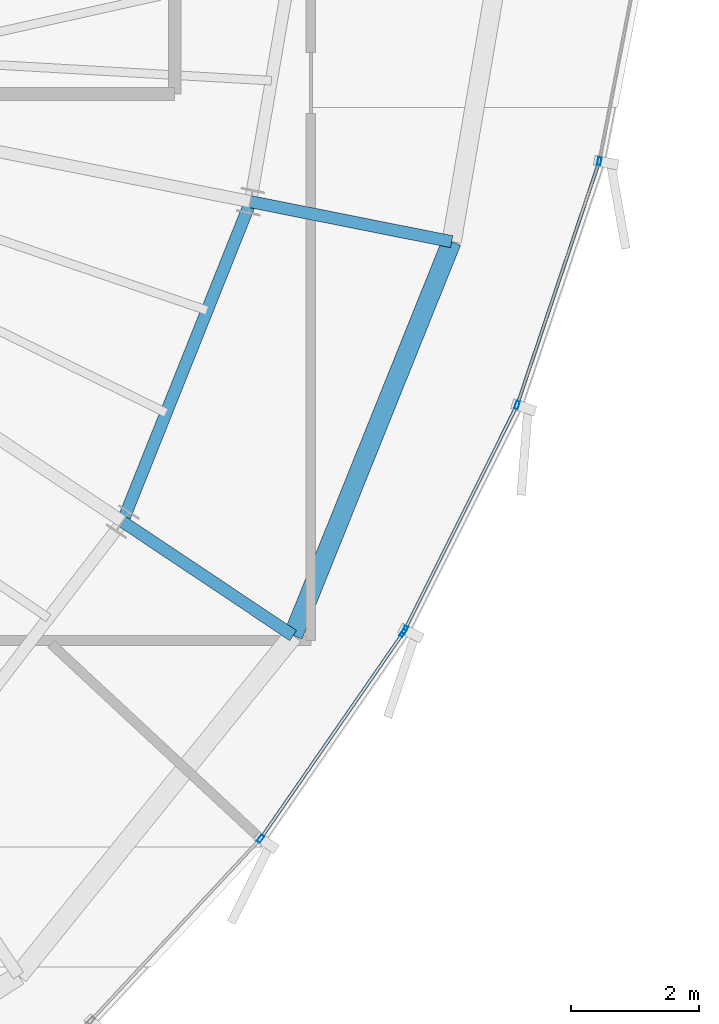
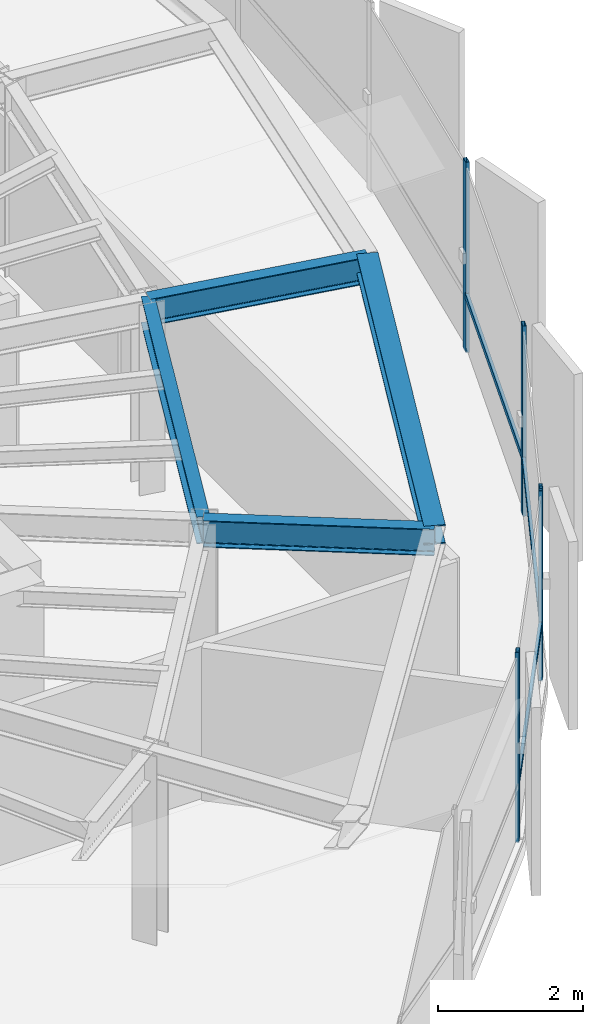
# One storey, part 14 of 32: 8 members, 4 beams, 2 elements without a shape of their own.
"""IFC4 building model written with IfcOpenShell, lengths in metres."""

from ifc_helpers import new_model, si_unit, direction, frame, origin, origin_2d, place, context, subcontext, project, spatial, hollow_rectangle, i_section, extrude, source, transform, mapped, material, layer, layer_set, material_profile, profile_set, type_object, element, aggregate, save


model = new_model("IFC4")

# Units and contexts
model_context = context("Model", 3, precision=1e-05, world=origin(), true_north=direction((0.0, 1.0)))
body_context = subcontext(model_context, "Body", "Model", "MODEL_VIEW")
ifc_project = project(units=[si_unit("LENGTHUNIT", "METRE"), si_unit("AREAUNIT", "SQUARE_METRE"), si_unit("VOLUMEUNIT", "CUBIC_METRE"), si_unit("PLANEANGLEUNIT", "RADIAN"), si_unit("MASSUNIT", "GRAM", prefix="KILO"), si_unit("THERMODYNAMICTEMPERATUREUNIT", "KELVIN")], contexts=[model_context])

# Site, building, storey
site_placement = place(None, origin())
site = spatial("IfcSite", under=ifc_project, at=site_placement, CompositionType="ELEMENT")
building_placement = place(site_placement, origin())
building = spatial("IfcBuilding", under=site, at=building_placement, Name="Kethvar Cultural Tower", CompositionType="ELEMENT")
storey_placement = place(building_placement, frame((0.0, 0.0, 273.25)))
storey = spatial("IfcBuildingStorey", under=building, at=storey_placement, Name="L72", CompositionType="ELEMENT", Elevation=273.25)

# Beams
ifc_material_1 = material(Name="Steel S355J2", Category="steel")
ifc_material_profile_1 = material_profile(ifc_material_1, i_section(OverallWidth=0.18994140625, OverallDepth=0.449951171875, WebThickness=0.009521484375, FlangeThickness=0.0146484375, FilletRadius=0.02099609375, at=origin_2d()), Name="Steel S355J2 — IPE450")
ifc_profile_set_1 = profile_set([ifc_material_profile_1], Name="Steel S355J2 — IPE450")
beam_type_1 = type_object("IfcBeamType", Name="BM-IPE450", PredefinedType="BEAM", material=ifc_profile_set_1)
shared_shape_1 = source(origin(), body_context, "Body", "SweptSolid", [
    extrude(i_section(OverallWidth=0.18994140625, OverallDepth=0.449951171875, WebThickness=0.009521484375, FlangeThickness=0.0146484375, FilletRadius=0.02099609375, at=origin_2d()), origin(), (0.0, 0.0, 1.0), 3.199951171875),
])
for number, where, z_axis, x_axis, name in (
    (1, (58.287109375, 20.12451171875, 2.98291015625), (0.831462943996, -0.555580212716, 0.0), (0.555580212716, 0.831462943996, 0.0), "L72 Perimeter Cantilever Beam RC-15"),
    (2, (60.28369140625, 25.117919921875, 2.98291015625), (0.980785550224, -0.195088965533, 0.0), (0.195088965533, 0.980785550224, 0.0), "L72 Perimeter Cantilever Beam RC-16"),
):
    element("IfcBeam", number, at=place(storey_placement, frame(where, z_axis=z_axis, x_axis=x_axis)), inside=storey, type_object=beam_type_1, Name=name, PredefinedType="BEAM", context=body_context, shape_type="MappedRepresentation", body=[
        mapped(shared_shape_1, transform((0.0, 0.0, 0.0), scale=1.0)),
    ])
shared_shape_2 = source(origin(), body_context, "Body", "SweptSolid", [
    extrude(i_section(OverallWidth=0.18994140625, OverallDepth=0.449951171875, WebThickness=0.009521484375, FlangeThickness=0.0146484375, FilletRadius=0.02099609375, at=origin_2d()), origin(), (0.0, 0.0, 1.0), 5.377685546875),
])
beam_1_placement = place(storey_placement, frame((58.287109375, 20.12451171875, 2.98291015625), z_axis=(0.371265436914, 0.928526776864, 0.0), x_axis=(-0.928526776864, 0.371265436914, 0.0)))
element("IfcBeam", 3, at=beam_1_placement, inside=storey, type_object=beam_type_1, Name="L72 Column Ring Tie Beam CR-15", PredefinedType="BEAM", context=body_context, shape_type="MappedRepresentation", body=[
    mapped(shared_shape_2, transform((0.0, 0.0, 0.0), scale=1.0)),
])
ifc_material_profile_2 = material_profile(ifc_material_1, i_section(OverallWidth=0.300048828125, OverallDepth=0.320068359375, WebThickness=0.011474609375, FlangeThickness=0.0205078125, FilletRadius=0.027099609375, at=origin_2d()), Name="Steel S355J2 — HEB320")
ifc_profile_set_2 = profile_set([ifc_material_profile_2], Name="Steel S355J2 — HEB320")
beam_type_2 = type_object("IfcBeamType", Name="BM-SP320", PredefinedType="SPANDREL", material=ifc_profile_set_2)
shared_shape_3 = source(origin(), body_context, "Body", "SweptSolid", [
    extrude(i_section(OverallWidth=0.300048828125, OverallDepth=0.320068359375, WebThickness=0.011474609375, FlangeThickness=0.0205078125, FilletRadius=0.027099609375, at=origin_2d()), origin(), (0.0, 0.0, 1.0), 6.626220703125),
])
beam_2_placement = place(storey_placement, frame((60.94775390625, 18.3466796875, 3.048095703125), z_axis=(0.373416224197, 0.927663906545, 0.0), x_axis=(-0.927663906545, 0.373416224197, 0.0)))
element("IfcBeam", 4, at=beam_2_placement, inside=storey, type_object=beam_type_2, Name="L72 Perimeter Spandrel Beam SP-15", PredefinedType="SPANDREL", context=body_context, shape_type="MappedRepresentation", body=[
    mapped(shared_shape_3, transform((0.0, 0.0, 0.0), scale=1.0)),
])

# Curtain wall, members
ifc_material_2 = material(Name="Aluminium 6063-T6", Category="aluminium")
ifc_layer = layer(ifc_material_2, 0.179931640625, Name="Aluminium 6063-T6", Category="aluminium")
ifc_layer_set = layer_set([ifc_layer], Name="Aluminium 6063-T6 (180 mm)")
curtain_wall_type = type_object("IfcCurtainWallType", Name="CW-SYS-05-Z56", PredefinedType="NOTDEFINED", material=ifc_layer_set)
curtain_wall_1_placement = place(storey_placement, origin())
curtain_wall_1 = element("IfcCurtainWall", 5, at=curtain_wall_1_placement, inside=storey, type_object=curtain_wall_type, Name="L72 Curtain Wall Run 05", PredefinedType="NOTDEFINED")
ifc_material_profile_3 = material_profile(ifc_material_2, hollow_rectangle(XDim=0.054931640625, YDim=0.1201171875, WallThickness=0.00390625, at=origin_2d()), Name="Aluminium 6063-T6 — RHS120x55x4")
ifc_profile_set_3 = profile_set([ifc_material_profile_3], Name="Aluminium 6063-T6 — RHS120x55x4")
member_type_1 = type_object("IfcMemberType", Name="CW-SYS-05-Z56-MUL", PredefinedType="MULLION", material=ifc_profile_set_3)
shared_shape_4 = source(origin(), body_context, "Body", "SweptSolid", [
    extrude(hollow_rectangle(XDim=0.054931640625, YDim=0.1201171875, WallThickness=0.00390625, at=origin_2d()), origin(), (0.0, 0.0, 1.0), 3.2099609375),
])
member_1_placement = place(storey_placement, frame((60.4404296875, 15.1767578125, 0.0), z_axis=(0.0, 0.0, 1.0), x_axis=(-0.822124168926, 0.569308221325, 0.0)))
member_1 = element("IfcMember", 6, at=member_1_placement, type_object=member_type_1, Name="CW-L72-R05 Mullion 6", PredefinedType="MULLION", context=body_context, shape_type="MappedRepresentation", body=[
    mapped(shared_shape_4, transform((0.0, 0.0, 0.0), scale=1.0)),
])
member_2_placement = place(storey_placement, frame((62.66259765625, 18.3857421875, 0.0), z_axis=(0.0, 0.0, 1.0), x_axis=(-0.822124168926, 0.569308221325, 0.0)))
member_2 = element("IfcMember", 7, at=member_2_placement, type_object=member_type_1, Name="CW-L72-R05 Mullion 7", PredefinedType="MULLION", context=body_context, shape_type="MappedRepresentation", body=[
    mapped(shared_shape_4, transform((0.0, 0.0, 0.0), scale=1.0)),
])

curtain_wall_2_placement = place(storey_placement, origin())
curtain_wall_2 = element("IfcCurtainWall", 8, at=curtain_wall_2_placement, inside=storey, type_object=curtain_wall_type, Name="L72 Curtain Wall Run 06", PredefinedType="NOTDEFINED")
member_3_placement = place(storey_placement, frame((62.691650390625, 18.434814453125, 0.0), z_axis=(0.0, 0.0, 1.0), x_axis=(-0.89470840597, 0.446650722921, 0.0)))
member_3 = element("IfcMember", 9, at=member_3_placement, type_object=member_type_1, Name="CW-L72-R06 Mullion 1", PredefinedType="MULLION", context=body_context, shape_type="MappedRepresentation", body=[
    mapped(shared_shape_4, transform((0.0, 0.0, 0.0), scale=1.0)),
])
member_4_placement = place(storey_placement, frame((64.443115234375, 21.94140625, 0.0), z_axis=(0.0, 0.0, 1.0), x_axis=(-0.947657014468, 0.319290123445, 0.0)))
member_4 = element("IfcMember", 10, at=member_4_placement, type_object=member_type_1, Name="CW-L72-R06 Mullion 2", PredefinedType="MULLION", context=body_context, shape_type="MappedRepresentation", body=[
    mapped(shared_shape_4, transform((0.0, 0.0, 0.0), scale=1.0)),
])
member_5_placement = place(storey_placement, frame((65.72705078125, 25.748779296875, 0.0), z_axis=(0.0, 0.0, 1.0), x_axis=(-0.981670451368, 0.190586266324, 0.0)))
member_5 = element("IfcMember", 11, at=member_5_placement, type_object=member_type_1, Name="CW-L72-R06 Mullion 3", PredefinedType="MULLION", context=body_context, shape_type="MappedRepresentation", body=[
    mapped(shared_shape_4, transform((0.0, 0.0, 0.0), scale=1.0)),
])

# Member
ifc_material_profile_4 = material_profile(ifc_material_2, hollow_rectangle(XDim=0.050048828125, YDim=0.10009765625, WallThickness=0.00390625, at=origin_2d()), Name="Aluminium 6063-T6 — RHS100x50x4")
ifc_profile_set_4 = profile_set([ifc_material_profile_4], Name="Aluminium 6063-T6 — RHS100x50x4")
member_type_2 = type_object("IfcMemberType", Name="CW-SYS-05-Z56-TRN", PredefinedType="USERDEFINED", material=ifc_profile_set_4)
shared_shape_5 = source(origin(), body_context, "Body", "SweptSolid", [
    extrude(hollow_rectangle(XDim=0.050048828125, YDim=0.10009765625, WallThickness=0.00390625, at=origin_2d()), origin(), (0.0, 0.0, 1.0), 3.85986328125),
])
member_6_placement = place(storey_placement, frame((60.462890625, 15.209228515625, 0.949951171875), z_axis=(0.569311933218, 0.822121598485, 0.0), x_axis=(-0.822121598485, 0.569311933218, 0.0)))
member_6 = element("IfcMember", 12, at=member_6_placement, type_object=member_type_2, Name="CW-L72-R05 Transom 6", ObjectType="TRANSOM", PredefinedType="USERDEFINED", context=body_context, shape_type="MappedRepresentation", body=[
    mapped(shared_shape_5, transform((0.0, 0.0, 0.0), scale=1.0)),
])

aggregate(curtain_wall_1, [member_1, member_2, member_6])

shared_shape_6 = source(origin(), body_context, "Body", "SweptSolid", [
    extrude(hollow_rectangle(XDim=0.050048828125, YDim=0.10009765625, WallThickness=0.00390625, at=origin_2d()), origin(), (0.0, 0.0, 1.0), 3.89013671875),
])
member_7_placement = place(storey_placement, frame((62.693359375, 18.438232421875, 0.949951171875), z_axis=(0.446661224341, 0.89470316344, 0.0), x_axis=(-0.89470316344, 0.446661224341, 0.0)))
member_7 = element("IfcMember", 13, at=member_7_placement, type_object=member_type_2, Name="CW-L72-R06 Transom 1", ObjectType="TRANSOM", PredefinedType="USERDEFINED", context=body_context, shape_type="MappedRepresentation", body=[
    mapped(shared_shape_6, transform((0.0, 0.0, 0.0), scale=1.0)),
])

shared_shape_7 = source(origin(), body_context, "Body", "SweptSolid", [
    extrude(hollow_rectangle(XDim=0.050048828125, YDim=0.10009765625, WallThickness=0.00390625, at=origin_2d()), origin(), (0.0, 0.0, 1.0), 3.951904296875),
])
member_8_placement = place(storey_placement, frame((64.455810546875, 21.97900390625, 0.949951171875), z_axis=(0.319321069736, 0.947646587301, 0.0), x_axis=(-0.947646587301, 0.319321069736, 0.0)))
member_8 = element("IfcMember", 14, at=member_8_placement, type_object=member_type_2, Name="CW-L72-R06 Transom 2", ObjectType="TRANSOM", PredefinedType="USERDEFINED", context=body_context, shape_type="MappedRepresentation", body=[
    mapped(shared_shape_7, transform((0.0, 0.0, 0.0), scale=1.0)),
])

aggregate(curtain_wall_2, [member_3, member_4, member_5, member_7, member_8])

save(model, "model.ifc")
